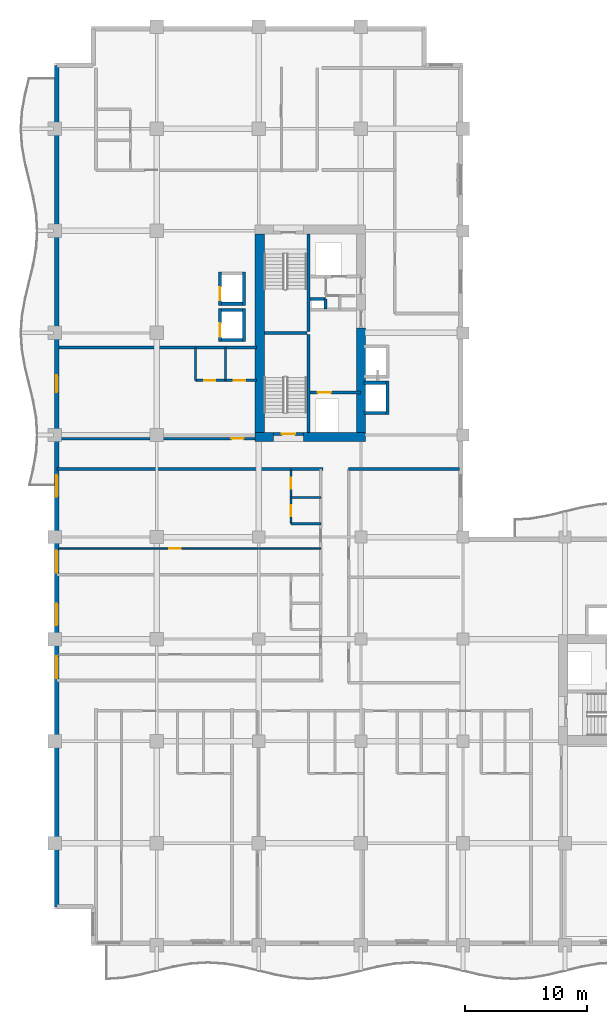
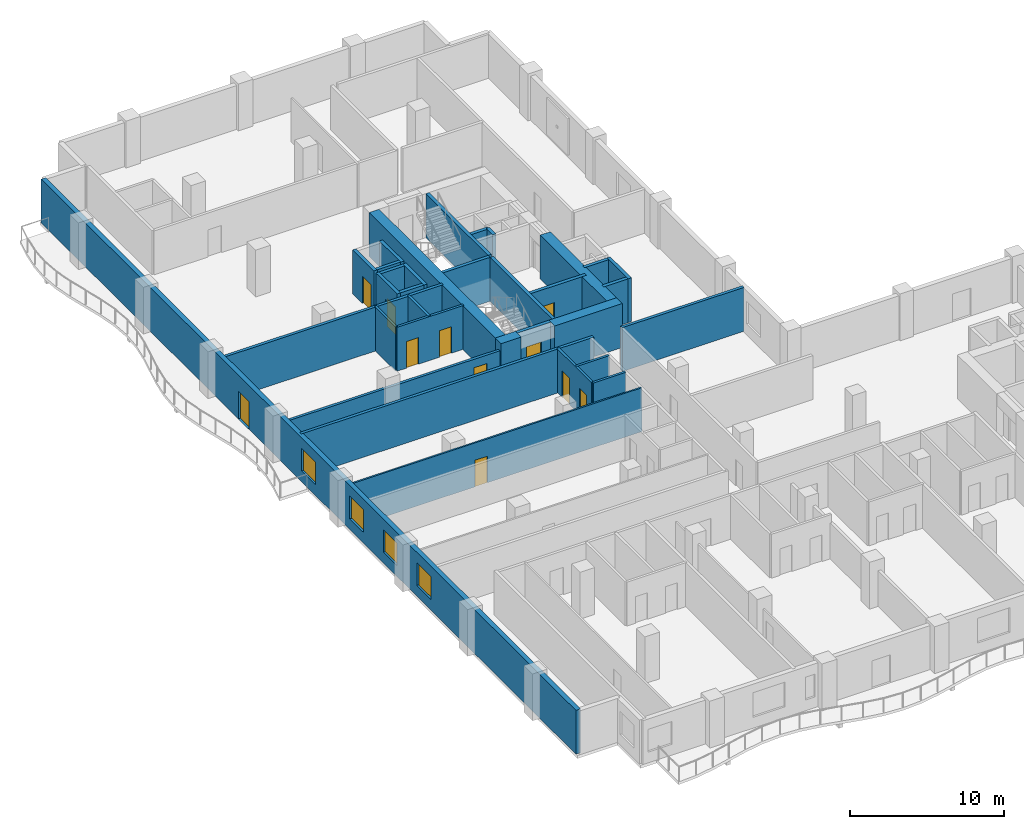
# One storey, part 13 of 22: 33 walls, 11 doors, 4 windows, 15 openings.
"""IFC4 building model written with IfcOpenShell, lengths in metres."""

from ifc_helpers import new_model, si_unit, direction, frame, frame_2d, origin, place, context, subcontext, project, spatial, rectangle, extrude, material, layer, layer_set, type_object, element, fill, save


model = new_model("IFC4")

# Units and contexts
model_context = context("Model", 3, precision=1e-05, world=origin(), true_north=direction((0.0, 1.0)))
body_context = subcontext(model_context, "Body", "Model", "MODEL_VIEW")
ifc_project = project(units=[si_unit("LENGTHUNIT", "METRE"), si_unit("AREAUNIT", "SQUARE_METRE"), si_unit("VOLUMEUNIT", "CUBIC_METRE"), si_unit("PLANEANGLEUNIT", "RADIAN"), si_unit("MASSUNIT", "GRAM", prefix="KILO")], contexts=[model_context])

# Site, building, storey
site_placement = place(None, origin())
site = spatial("IfcSite", under=ifc_project, at=site_placement, CompositionType="ELEMENT")
building_placement = place(site_placement, origin())
building = spatial("IfcBuilding", under=site, at=building_placement, Name="Koriwani Terraces Tower", CompositionType="ELEMENT")
storey_placement = place(building_placement, frame((0.0, 0.0, 182.800048828125)))
storey = spatial("IfcBuildingStorey", under=building, at=storey_placement, Name="L44", CompositionType="ELEMENT", Elevation=182.800048828125)

# Walls
ifc_material_1 = material(Name="Concrete C60/75", Category="concrete")
ifc_layer_1 = layer(ifc_material_1, 0.75, Name="Concrete C60/75")
ifc_layer_set_1 = layer_set([ifc_layer_1], Name="Concrete C60/75")
wall_type_1 = type_object("IfcWallType", Name="WALL_CORE_RC_750", PredefinedType="SHEAR", material=ifc_layer_set_1)
wall_1_placement = place(storey_placement, frame((16.5, 41.824951171875, 0.0), z_axis=(0.0, 0.0, 1.0), x_axis=(1.0, 0.0, 0.0)))
element("IfcWall", 1, at=wall_1_placement, inside=storey, type_object=wall_type_1, Name="L44 West Split Core Shear Wall S1", PredefinedType="SHEAR", context=body_context, shape_type="SweptSolid", body=[
    extrude(rectangle(XDim=1.5, YDim=0.75, at=frame_2d((0.75, 0.0))), origin(), (0.0, 0.0, 1.0), 3.469970703125),
])
wall_2_placement = place(storey_placement, frame((20.5, 41.824951171875, 0.0), z_axis=(0.0, 0.0, 1.0), x_axis=(1.0, 0.0, 0.0)))
element("IfcWall", 2, at=wall_2_placement, inside=storey, type_object=wall_type_1, Name="L44 West Split Core Shear Wall S2", PredefinedType="SHEAR", context=body_context, shape_type="SweptSolid", body=[
    extrude(rectangle(XDim=5.074951171875, YDim=0.75, at=frame_2d((2.53759765625, 0.0))), origin(), (0.0, 0.0, 1.0), 3.469970703125),
])
wall_3_placement = place(storey_placement, frame((16.875, 42.199951171875, 0.0), z_axis=(0.0, 0.0, 1.0), x_axis=(0.0, 1.0, 0.0)))
element("IfcWall", 3, at=wall_3_placement, inside=storey, type_object=wall_type_1, Name="L44 West Split Core Shear Wall W1", PredefinedType="SHEAR", context=body_context, shape_type="SweptSolid", body=[
    extrude(rectangle(XDim=16.35009765625, YDim=0.75, at=frame_2d((8.175048828125, 0.0))), origin(), (0.0, 0.0, 1.0), 3.469970703125),
])
wall_4_placement = place(storey_placement, frame((25.199951171875, 42.199951171875, 0.0), z_axis=(0.0, 0.0, 1.0), x_axis=(0.0, 1.0, 0.0)))
element("IfcWall", 4, at=wall_4_placement, inside=storey, type_object=wall_type_1, Name="L44 West Split Core Shear Wall E1", PredefinedType="SHEAR", context=body_context, shape_type="SweptSolid", body=[
    extrude(rectangle(XDim=8.60009765625, YDim=0.75, at=frame_2d((4.300048828125, 0.0))), origin(), (0.0, 0.0, 1.0), 3.469970703125),
])

# Wall, opening, door
ifc_material_2 = material(Name="Autoclaved Cellular Concrete Blockwork", Category="masonry")
ifc_layer_2 = layer(ifc_material_2, 0.199951171875, Name="Autoclaved Cellular Concrete Blockwork")
ifc_layer_set_2 = layer_set([ifc_layer_2], Name="Autoclaved Cellular Concrete Blockwork")
wall_type_2 = type_object("IfcWallType", Name="WALL_CORRIDOR_200", PredefinedType="PARTITIONING", material=ifc_layer_set_2)
wall_5_placement = place(storey_placement, frame((0.35009765625, 41.699951171875, 0.0), z_axis=(0.0, 0.0, 1.0), x_axis=(1.0, 0.0, 0.0)))
wall_5 = element("IfcWall", 5, at=wall_5_placement, inside=storey, type_object=wall_type_2, Name="L44 Interior Wall WREC-WS-L44", PredefinedType="PARTITIONING", context=body_context, shape_type="SweptSolid", body=[
    extrude(rectangle(XDim=16.25, YDim=0.199951171875, at=frame_2d((8.125, 0.0))), origin(), (0.0, 0.0, 1.0), 2.820068359375),
])
opening_1_placement = place(wall_5_placement, frame((14.199951171875, 0.0, 0.0)))
opening_1 = element("IfcOpeningElement", 6, at=opening_1_placement, cuts=wall_5, Name="Opening D-05", PredefinedType="OPENING", context=body_context, shape_type="SweptSolid", body=[
    extrude(rectangle(XDim=1.0, YDim=2.14990234375, at=frame_2d((0.5, 1.074951171875))), frame((0.0, 0.10986328125, 0.0), z_axis=(0.0, -1.0, 0.0), x_axis=(1.0, 0.0, 0.0)), (0.0, 0.0, 1.0), 0.219970703125),
])
ifc_material_3 = material(Name="Architectural Oak Fire Door", Category="wood")
door_type_1 = type_object("IfcDoorType", Name="DOOR_SUITE_ENTRY_1000X2150", OperationType="NOTDEFINED", PredefinedType="DOOR", material=ifc_material_3)
door_1_placement = place(opening_1_placement, origin())
door_1 = element("IfcDoor", 7, at=door_1_placement, inside=storey, type_object=door_type_1, Name="L44 Reclaimed West Suite Door", OperationType="SINGLE_SWING_RIGHT", OverallHeight=2.14990234375, OverallWidth=1.0, PredefinedType="DOOR", context=body_context, shape_type="SweptSolid", body=[
    extrude(rectangle(XDim=1.0, YDim=2.14990234375, at=frame_2d((0.5, 1.074951171875))), frame((0.0, 0.02490234375, 0.0), z_axis=(0.0, -1.0, 0.0), x_axis=(1.0, 0.0, 0.0)), (0.0, 0.0, 1.0), 0.050048828125),
])
fill(opening_1, door_1)

# Walls
ifc_layer_3 = layer(ifc_material_2, 0.219970703125, Name="Autoclaved Cellular Concrete Blockwork")
ifc_layer_set_3 = layer_set([ifc_layer_3], Name="Autoclaved Cellular Concrete Blockwork")
wall_type_3 = type_object("IfcWallType", Name="WALL_DEMISING_220", PredefinedType="PARTITIONING", material=ifc_layer_set_3)
wall_6_placement = place(storey_placement, frame((0.35009765625, 49.199951171875, 0.0), z_axis=(0.0, 0.0, 1.0), x_axis=(1.0, 0.0, 0.0)))
element("IfcWall", 8, at=wall_6_placement, inside=storey, type_object=wall_type_3, Name="L44 Interior Wall WREC-WN-L44", PredefinedType="PARTITIONING", context=body_context, shape_type="SweptSolid", body=[
    extrude(rectangle(XDim=16.25, YDim=0.219970703125, at=frame_2d((8.125, 0.0))), origin(), (0.0, 0.0, 1.0), 3.469970703125),
])
wall_7_placement = place(storey_placement, frame((24.199951171875, 39.199951171875, 0.0), z_axis=(0.0, 0.0, 1.0), x_axis=(1.0, 0.0, 0.0)))
element("IfcWall", 9, at=wall_7_placement, inside=storey, type_object=wall_type_3, Name="L44 Interior Wall WIC2-N-L44", PredefinedType="PARTITIONING", context=body_context, shape_type="SweptSolid", body=[
    extrude(rectangle(XDim=9.10009765625, YDim=0.219970703125, at=frame_2d((4.550048828125, 0.0))), origin(), (0.0, 0.0, 1.0), 3.469970703125),
])
wall_8_placement = place(storey_placement, frame((0.199951171875, 39.199951171875, 0.0), z_axis=(0.0, 0.0, 1.0), x_axis=(1.0, 0.0, 0.0)))
element("IfcWall", 10, at=wall_8_placement, inside=storey, type_object=wall_type_3, Name="L44 Interior Wall WRDEME-L44-NW", PredefinedType="PARTITIONING", context=body_context, shape_type="SweptSolid", body=[
    extrude(rectangle(XDim=21.880126953125, YDim=0.219970703125, at=frame_2d((10.93994140625, 0.0))), origin(), (0.0, 0.0, 1.0), 3.469970703125),
])

# Wall, openings, door, windows
ifc_material_4 = material(Name="Concrete C50/60", Category="concrete")
ifc_layer_4 = layer(ifc_material_4, 0.35009765625, Name="Concrete C50/60")
ifc_layer_set_4 = layer_set([ifc_layer_4], Name="Concrete C50/60")
wall_type_4 = type_object("IfcWallType", Name="WALL_EXT_BRUTALIST_350", PredefinedType="STANDARD", material=ifc_layer_set_4)
wall_9_placement = place(storey_placement, frame((0.175048828125, 3.175048828125, 0.0), z_axis=(0.0, 0.0, 1.0), x_axis=(0.0, 1.0, 0.0)))
wall_9 = element("IfcWall", 11, at=wall_9_placement, inside=storey, type_object=wall_type_4, Name="L44 Fair-Faced Brutalist Exterior Wall (W)", PredefinedType="STANDARD", context=body_context, shape_type="SweptSolid", body=[
    extrude(rectangle(XDim=69.25, YDim=0.35009765625, at=frame_2d((34.625, 0.0))), origin(), (0.0, 0.0, 1.0), 3.469970703125),
])
opening_2_placement = place(wall_9_placement, frame((42.324951171875, 0.0, 0.0)))
opening_2 = element("IfcOpeningElement", 12, at=opening_2_placement, cuts=wall_9, Name="Opening D-09", PredefinedType="OPENING", context=body_context, shape_type="SweptSolid", body=[
    extrude(rectangle(XDim=1.39990234375, YDim=2.199951171875, at=frame_2d((0.699951171875, 1.10009765625))), frame((0.0, 0.18505859375, 0.0), z_axis=(0.0, -1.0, 0.0), x_axis=(1.0, 0.0, 0.0)), (0.0, 0.0, 1.0), 0.3701171875),
])
opening_3_placement = place(wall_9_placement, frame((33.72509765625, 0.0, 0.85009765625)))
opening_3 = element("IfcOpeningElement", 13, at=opening_3_placement, cuts=wall_9, Name="Opening W-04", PredefinedType="OPENING", context=body_context, shape_type="SweptSolid", body=[
    extrude(rectangle(XDim=1.800048828125, YDim=1.800048828125, at=frame_2d((0.89990234375, 0.89990234375))), frame((0.0, 0.18505859375, 0.0), z_axis=(0.0, -1.0, 0.0), x_axis=(1.0, 0.0, 0.0)), (0.0, 0.0, 1.0), 0.3701171875),
])
opening_4_placement = place(wall_9_placement, frame((18.800048828125, 0.0, 0.85009765625)))
opening_4 = element("IfcOpeningElement", 14, at=opening_4_placement, cuts=wall_9, Name="Opening W-04", PredefinedType="OPENING", context=body_context, shape_type="SweptSolid", body=[
    extrude(rectangle(XDim=1.800048828125, YDim=1.800048828125, at=frame_2d((0.89990234375, 0.89990234375))), frame((0.0, 0.18505859375, 0.0), z_axis=(0.0, -1.0, 0.0), x_axis=(1.0, 0.0, 0.0)), (0.0, 0.0, 1.0), 0.3701171875),
])
opening_5_placement = place(wall_9_placement, frame((23.14990234375, 0.0, 0.85009765625)))
opening_5 = element("IfcOpeningElement", 15, at=opening_5_placement, cuts=wall_9, Name="Opening W-04", PredefinedType="OPENING", context=body_context, shape_type="SweptSolid", body=[
    extrude(rectangle(XDim=1.800048828125, YDim=1.800048828125, at=frame_2d((0.89990234375, 0.89990234375))), frame((0.0, 0.18505859375, 0.0), z_axis=(0.0, -1.0, 0.0), x_axis=(1.0, 0.0, 0.0)), (0.0, 0.0, 1.0), 0.3701171875),
])
opening_6_placement = place(wall_9_placement, frame((27.5, 0.0, 0.85009765625)))
opening_6 = element("IfcOpeningElement", 16, at=opening_6_placement, cuts=wall_9, Name="Opening W-04", PredefinedType="OPENING", context=body_context, shape_type="SweptSolid", body=[
    extrude(rectangle(XDim=1.800048828125, YDim=1.800048828125, at=frame_2d((0.89990234375, 0.89990234375))), frame((0.0, 0.18505859375, 0.0), z_axis=(0.0, -1.0, 0.0), x_axis=(1.0, 0.0, 0.0)), (0.0, 0.0, 1.0), 0.3701171875),
])
ifc_material_5 = material(Name="Anodised Bronze Aluminium", Category="aluminium")
door_type_2 = type_object("IfcDoorType", Name="DOOR_BALCONY_GLAZED_1400X2200", OperationType="NOTDEFINED", PredefinedType="DOOR", material=ifc_material_5)
door_2_placement = place(opening_2_placement, origin())
door_2 = element("IfcDoor", 17, at=door_2_placement, inside=storey, type_object=door_type_2, Name="L44 West Balcony Glazed Door", OperationType="SINGLE_SWING_LEFT", OverallHeight=2.199951171875, OverallWidth=1.39990234375, PredefinedType="DOOR", context=body_context, shape_type="SweptSolid", body=[
    extrude(rectangle(XDim=1.39990234375, YDim=2.199951171875, at=frame_2d((0.699951171875, 1.10009765625))), frame((0.0, 0.02490234375, 0.0), z_axis=(0.0, -1.0, 0.0), x_axis=(1.0, 0.0, 0.0)), (0.0, 0.0, 1.0), 0.050048828125),
])
fill(opening_2, door_2)
ifc_material_6 = material(Name="Tempered Laminated Low-E Glass", Category="glass")
window_type = type_object("IfcWindowType", Name="WIN_RES_BED_1800X1800", PartitioningType="DOUBLE_PANEL_VERTICAL", PredefinedType="WINDOW", material=ifc_material_6)
window_1_placement = place(opening_3_placement, origin())
window_1 = element("IfcWindow", 18, at=window_1_placement, inside=storey, type_object=window_type, Name="L44 Exterior Window (W-12)", OverallHeight=1.800048828125, OverallWidth=1.800048828125, PartitioningType="SINGLE_PANEL", PredefinedType="WINDOW", context=body_context, shape_type="SweptSolid", body=[
    extrude(rectangle(XDim=1.800048828125, YDim=1.800048828125, at=frame_2d((0.89990234375, 0.89990234375))), frame((0.0, 0.030029296875, 0.0), z_axis=(0.0, -1.0, 0.0), x_axis=(1.0, 0.0, 0.0)), (0.0, 0.0, 1.0), 0.06005859375),
])
fill(opening_3, window_1)
window_2_placement = place(opening_4_placement, origin())
window_2 = element("IfcWindow", 19, at=window_2_placement, inside=storey, type_object=window_type, Name="L44 Exterior Window (W-R48)", OverallHeight=1.800048828125, OverallWidth=1.800048828125, PartitioningType="SINGLE_PANEL", PredefinedType="WINDOW", context=body_context, shape_type="SweptSolid", body=[
    extrude(rectangle(XDim=1.800048828125, YDim=1.800048828125, at=frame_2d((0.89990234375, 0.89990234375))), frame((0.0, 0.030029296875, 0.0), z_axis=(0.0, -1.0, 0.0), x_axis=(1.0, 0.0, 0.0)), (0.0, 0.0, 1.0), 0.06005859375),
])
fill(opening_4, window_2)
window_3_placement = place(opening_5_placement, origin())
window_3 = element("IfcWindow", 20, at=window_3_placement, inside=storey, type_object=window_type, Name="L44 Exterior Window (W-R49)", OverallHeight=1.800048828125, OverallWidth=1.800048828125, PartitioningType="SINGLE_PANEL", PredefinedType="WINDOW", context=body_context, shape_type="SweptSolid", body=[
    extrude(rectangle(XDim=1.800048828125, YDim=1.800048828125, at=frame_2d((0.89990234375, 0.89990234375))), frame((0.0, 0.030029296875, 0.0), z_axis=(0.0, -1.0, 0.0), x_axis=(1.0, 0.0, 0.0)), (0.0, 0.0, 1.0), 0.06005859375),
])
fill(opening_5, window_3)
window_4_placement = place(opening_6_placement, origin())
window_4 = element("IfcWindow", 21, at=window_4_placement, inside=storey, type_object=window_type, Name="L44 Exterior Window (W-R52)", OverallHeight=1.800048828125, OverallWidth=1.800048828125, PartitioningType="SINGLE_PANEL", PredefinedType="WINDOW", context=body_context, shape_type="SweptSolid", body=[
    extrude(rectangle(XDim=1.800048828125, YDim=1.800048828125, at=frame_2d((0.89990234375, 0.89990234375))), frame((0.0, 0.030029296875, 0.0), z_axis=(0.0, -1.0, 0.0), x_axis=(1.0, 0.0, 0.0)), (0.0, 0.0, 1.0), 0.06005859375),
])
fill(opening_6, window_4)

# Wall, opening, door
ifc_material_7 = material(Name="Fire-Rated Acoustic Gypsum Partition", Category="masonry")
ifc_layer_5 = layer(ifc_material_7, 0.125, Name="Fire-Rated Acoustic Gypsum Partition")
ifc_layer_set_5 = layer_set([ifc_layer_5], Name="Fire-Rated Acoustic Gypsum Partition")
wall_type_5 = type_object("IfcWallType", Name="WALL_INT_125", PredefinedType="PARTITIONING", material=ifc_layer_set_5)
wall_10_placement = place(storey_placement, frame((0.35009765625, 32.64990234375, 0.0), z_axis=(0.0, 0.0, 1.0), x_axis=(1.0, 0.0, 0.0)))
wall_10 = element("IfcWall", 22, at=wall_10_placement, inside=storey, type_object=wall_type_5, Name="L44 Interior Wall WRBED1-L44-NW-1", PredefinedType="PARTITIONING", context=body_context, shape_type="SweptSolid", body=[
    extrude(rectangle(XDim=21.5498046875, YDim=0.125, at=frame_2d((10.77490234375, 0.0))), origin(), (0.0, 0.0, 1.0), 3.469970703125),
])
opening_7_placement = place(wall_10_placement, frame((9.090087890625, 0.0, 0.0)))
opening_7 = element("IfcOpeningElement", 23, at=opening_7_placement, cuts=wall_10, Name="Opening D-06", PredefinedType="OPENING", context=body_context, shape_type="SweptSolid", body=[
    extrude(rectangle(XDim=0.919921875, YDim=2.10009765625, at=frame_2d((0.4599609375, 1.050048828125))), frame((0.0, 0.072509765625, 0.0), z_axis=(0.0, -1.0, 0.0), x_axis=(1.0, 0.0, 0.0)), (0.0, 0.0, 1.0), 0.14501953125),
])
door_type_3 = type_object("IfcDoorType", Name="DOOR_ROOM_INT_920X2100", OperationType="NOTDEFINED", PredefinedType="DOOR", material=ifc_material_3)
door_3_placement = place(opening_7_placement, origin())
door_3 = element("IfcDoor", 24, at=door_3_placement, inside=storey, type_object=door_type_3, Name="Apartment 44NW2 Master Bedroom Door", OperationType="SINGLE_SWING_LEFT", OverallHeight=2.10009765625, OverallWidth=0.919921875, PredefinedType="DOOR", context=body_context, shape_type="SweptSolid", body=[
    extrude(rectangle(XDim=0.919921875, YDim=2.10009765625, at=frame_2d((0.4599609375, 1.050048828125))), frame((0.0, 0.02490234375, 0.0), z_axis=(0.0, -1.0, 0.0), x_axis=(1.0, 0.0, 0.0)), (0.0, 0.0, 1.0), 0.050048828125),
])
fill(opening_7, door_3)

# Wall, openings, doors
ifc_layer_6 = layer(ifc_material_7, 0.179931640625, Name="Fire-Rated Acoustic Gypsum Partition")
ifc_layer_set_6 = layer_set([ifc_layer_6], Name="Fire-Rated Acoustic Gypsum Partition")
wall_type_6 = type_object("IfcWallType", Name="WALL_PLUMBING_180", PredefinedType="PLUMBINGWALL", material=ifc_layer_set_6)
wall_11_placement = place(storey_placement, frame((11.60009765625, 46.5, 0.0), z_axis=(0.0, 0.0, 1.0), x_axis=(1.0, 0.0, 0.0)))
wall_11 = element("IfcWall", 25, at=wall_11_placement, inside=storey, type_object=wall_type_6, Name="L44 Interior Wall WREC-WBB-L44", PredefinedType="PLUMBINGWALL", context=body_context, shape_type="SweptSolid", body=[
    extrude(rectangle(XDim=5.0, YDim=0.179931640625, at=frame_2d((2.5, 0.0))), origin(), (0.0, 0.0, 1.0), 3.469970703125),
])
opening_8_placement = place(wall_11_placement, frame((0.699951171875, 0.0, 0.0)))
opening_8 = element("IfcOpeningElement", 26, at=opening_8_placement, cuts=wall_11, Name="Opening D-07", PredefinedType="OPENING", context=body_context, shape_type="SweptSolid", body=[
    extrude(rectangle(XDim=0.89990234375, YDim=2.10009765625, at=frame_2d((0.449951171875, 1.050048828125))), frame((0.0, 0.10009765625, 0.0), z_axis=(0.0, -1.0, 0.0), x_axis=(1.0, 0.0, 0.0)), (0.0, 0.0, 1.0), 0.199951171875),
])
opening_9_placement = place(wall_11_placement, frame((3.14990234375, 0.0, 0.0)))
opening_9 = element("IfcOpeningElement", 27, at=opening_9_placement, cuts=wall_11, Name="Opening D-06", PredefinedType="OPENING", context=body_context, shape_type="SweptSolid", body=[
    extrude(rectangle(XDim=0.919921875, YDim=2.10009765625, at=frame_2d((0.4599609375, 1.050048828125))), frame((0.0, 0.10009765625, 0.0), z_axis=(0.0, -1.0, 0.0), x_axis=(1.0, 0.0, 0.0)), (0.0, 0.0, 1.0), 0.199951171875),
])
door_type_4 = type_object("IfcDoorType", Name="DOOR_BATH_INT_900X2100", OperationType="NOTDEFINED", PredefinedType="DOOR", material=ifc_material_3)
door_4_placement = place(opening_8_placement, origin())
door_4 = element("IfcDoor", 28, at=door_4_placement, inside=storey, type_object=door_type_4, Name="Apartment 44RW Bathroom Door", OperationType="SINGLE_SWING_LEFT", OverallHeight=2.10009765625, OverallWidth=0.89990234375, PredefinedType="DOOR", context=body_context, shape_type="SweptSolid", body=[
    extrude(rectangle(XDim=0.89990234375, YDim=2.10009765625, at=frame_2d((0.449951171875, 1.050048828125))), frame((0.0, 0.02490234375, 0.0), z_axis=(0.0, -1.0, 0.0), x_axis=(1.0, 0.0, 0.0)), (0.0, 0.0, 1.0), 0.050048828125),
])
fill(opening_8, door_4)
door_5_placement = place(opening_9_placement, origin())
door_5 = element("IfcDoor", 29, at=door_5_placement, inside=storey, type_object=door_type_3, Name="Apartment 44RW Kitchen Door", OperationType="SINGLE_SWING_RIGHT", OverallHeight=2.10009765625, OverallWidth=0.919921875, PredefinedType="DOOR", context=body_context, shape_type="SweptSolid", body=[
    extrude(rectangle(XDim=0.919921875, YDim=2.10009765625, at=frame_2d((0.4599609375, 1.050048828125))), frame((0.0, 0.02490234375, 0.0), z_axis=(0.0, -1.0, 0.0), x_axis=(1.0, 0.0, 0.0)), (0.0, 0.0, 1.0), 0.050048828125),
])
fill(opening_9, door_5)

# Walls
for number, where, z_axis, x_axis, name in (
    (30, (11.60009765625, 46.5, 0.0), (0.0, 0.0, 1.0), (0.0, 1.0, 0.0), "L44 Interior Wall WREC-WB2-L44"),
    (31, (14.050048828125, 46.5, 0.0), (0.0, 0.0, 1.0), (0.0, 1.0, 0.0), "L44 Interior Wall WREC-WB3-L44"),
):
    element("IfcWall", number, at=place(storey_placement, frame(where, z_axis=z_axis, x_axis=x_axis)), inside=storey, type_object=wall_type_6, Name=name, PredefinedType="PLUMBINGWALL", context=body_context, shape_type="SweptSolid", body=[
        extrude(rectangle(XDim=2.699951171875, YDim=0.179931640625, at=frame_2d((1.35009765625, 0.0))), origin(), (0.0, 0.0, 1.0), 3.469970703125),
    ])

# Wall, openings, doors
wall_12_placement = place(storey_placement, frame((19.449951171875, 34.699951171875, 0.0), z_axis=(0.0, 0.0, 1.0), x_axis=(0.0, 1.0, 0.0)))
wall_12 = element("IfcWall", 32, at=wall_12_placement, inside=storey, type_object=wall_type_6, Name="L44 Interior Wall WRSVC-L44-NW-1", PredefinedType="PLUMBINGWALL", context=body_context, shape_type="SweptSolid", body=[
    extrude(rectangle(XDim=4.5, YDim=0.179931640625, at=frame_2d((2.25, 0.0))), origin(), (0.0, 0.0, 1.0), 3.469970703125),
])
opening_10_placement = place(wall_12_placement, frame((0.6298828125, 0.0, 0.0)))
opening_10 = element("IfcOpeningElement", 33, at=opening_10_placement, cuts=wall_12, Name="Opening D-07", PredefinedType="OPENING", context=body_context, shape_type="SweptSolid", body=[
    extrude(rectangle(XDim=0.89990234375, YDim=2.10009765625, at=frame_2d((0.449951171875, 1.050048828125))), frame((0.0, 0.10009765625, 0.0), z_axis=(0.0, -1.0, 0.0), x_axis=(1.0, 0.0, 0.0)), (0.0, 0.0, 1.0), 0.199951171875),
])
opening_11_placement = place(wall_12_placement, frame((2.8701171875, 0.0, 0.0)))
opening_11 = element("IfcOpeningElement", 34, at=opening_11_placement, cuts=wall_12, Name="Opening D-06", PredefinedType="OPENING", context=body_context, shape_type="SweptSolid", body=[
    extrude(rectangle(XDim=0.919921875, YDim=2.10009765625, at=frame_2d((0.4599609375, 1.050048828125))), frame((0.0, 0.10009765625, 0.0), z_axis=(0.0, -1.0, 0.0), x_axis=(1.0, 0.0, 0.0)), (0.0, 0.0, 1.0), 0.199951171875),
])
door_6_placement = place(opening_10_placement, origin())
door_6 = element("IfcDoor", 35, at=door_6_placement, inside=storey, type_object=door_type_4, Name="Apartment 44NW2 Bathroom Door", OperationType="SINGLE_SWING_LEFT", OverallHeight=2.10009765625, OverallWidth=0.89990234375, PredefinedType="DOOR", context=body_context, shape_type="SweptSolid", body=[
    extrude(rectangle(XDim=0.89990234375, YDim=2.10009765625, at=frame_2d((0.449951171875, 1.050048828125))), frame((0.0, 0.02490234375, 0.0), z_axis=(0.0, -1.0, 0.0), x_axis=(1.0, 0.0, 0.0)), (0.0, 0.0, 1.0), 0.050048828125),
])
fill(opening_10, door_6)
door_7_placement = place(opening_11_placement, origin())
door_7 = element("IfcDoor", 36, at=door_7_placement, inside=storey, type_object=door_type_3, Name="Apartment 44NW2 Kitchen Door", OperationType="SINGLE_SWING_RIGHT", OverallHeight=2.10009765625, OverallWidth=0.919921875, PredefinedType="DOOR", context=body_context, shape_type="SweptSolid", body=[
    extrude(rectangle(XDim=0.919921875, YDim=2.10009765625, at=frame_2d((0.4599609375, 1.050048828125))), frame((0.0, 0.02490234375, 0.0), z_axis=(0.0, -1.0, 0.0), x_axis=(1.0, 0.0, 0.0)), (0.0, 0.0, 1.0), 0.050048828125),
])
fill(opening_11, door_7)

# Walls
for number, where, z_axis, x_axis, name in (
    (37, (19.449951171875, 34.699951171875, 0.0), (0.0, 0.0, 1.0), (1.0, 0.0, 0.0), "L44 Interior Wall WRSVCS-L44-NW-1"),
    (38, (19.449951171875, 36.860107421875, 0.0), (0.0, 0.0, 1.0), (1.0, 0.0, 0.0), "L44 Interior Wall WRSVCM-L44-NW-1"),
):
    element("IfcWall", number, at=place(storey_placement, frame(where, z_axis=z_axis, x_axis=x_axis)), inside=storey, type_object=wall_type_6, Name=name, PredefinedType="PLUMBINGWALL", context=body_context, shape_type="SweptSolid", body=[
        extrude(rectangle(XDim=2.449951171875, YDim=0.179931640625, at=frame_2d((1.22509765625, 0.0))), origin(), (0.0, 0.0, 1.0), 3.469970703125),
    ])
ifc_material_8 = material(Name="Concrete C40/50", Category="concrete")
ifc_layer_7 = layer(ifc_material_8, 0.25, Name="Concrete C40/50")
ifc_layer_set_7 = layer_set([ifc_layer_7], Name="Concrete C40/50")
wall_type_7 = type_object("IfcWallType", Name="WALL_SHAFT_RATED_250", PredefinedType="SOLIDWALL", material=ifc_layer_set_7)
for number, where, z_axis, x_axis, name in (
    (39, (20.875, 42.199951171875, 0.0), (0.0, 0.0, 1.0), (0.0, 1.0, 0.0), "L44 West Split Core Web Wall MID1"),
    (40, (20.875, 50.5, 0.0), (0.0, 0.0, 1.0), (0.0, 1.0, 0.0), "L44 West Split Core Web Wall MID2"),
):
    element("IfcWall", number, at=place(storey_placement, frame(where, z_axis=z_axis, x_axis=x_axis)), inside=storey, type_object=wall_type_7, Name=name, PredefinedType="SOLIDWALL", context=body_context, shape_type="SweptSolid", body=[
        extrude(rectangle(XDim=8.050048828125, YDim=0.25, at=frame_2d((4.02490234375, 0.0))), origin(), (0.0, 0.0, 1.0), 3.469970703125),
    ])
wall_13_placement = place(storey_placement, frame((17.25, 50.375, 0.0), z_axis=(0.0, 0.0, 1.0), x_axis=(1.0, 0.0, 0.0)))
element("IfcWall", 41, at=wall_13_placement, inside=storey, type_object=wall_type_7, Name="L44 West Split Core Stair Dividing Wall", PredefinedType="SOLIDWALL", context=body_context, shape_type="SweptSolid", body=[
    extrude(rectangle(XDim=3.5, YDim=0.25, at=frame_2d((1.75, 0.0))), origin(), (0.0, 0.0, 1.0), 3.469970703125),
])

# Wall, opening, door
wall_14_placement = place(storey_placement, frame((18.0, 42.074951171875, 0.0), z_axis=(0.0, 0.0, 1.0), x_axis=(1.0, 0.0, 0.0)))
wall_14 = element("IfcWall", 42, at=wall_14_placement, inside=storey, type_object=wall_type_7, Name="L44 Interior Wall WIN-CW-L44-STS", PredefinedType="SOLIDWALL", context=body_context, shape_type="SweptSolid", body=[
    extrude(rectangle(XDim=2.5, YDim=0.25, at=frame_2d((1.25, 0.0))), origin(), (0.0, 0.0, 1.0), 3.469970703125),
])
opening_12_placement = place(wall_14_placement, frame((0.699951171875, 0.0, 0.0)))
opening_12 = element("IfcOpeningElement", 43, at=opening_12_placement, cuts=wall_14, Name="Opening D-03", PredefinedType="OPENING", context=body_context, shape_type="SweptSolid", body=[
    extrude(rectangle(XDim=1.10009765625, YDim=2.14990234375, at=frame_2d((0.550048828125, 1.074951171875))), frame((0.0, 0.135009765625, 0.0), z_axis=(0.0, -1.0, 0.0), x_axis=(1.0, 0.0, 0.0)), (0.0, 0.0, 1.0), 0.27001953125),
])
ifc_material_9 = material(Name="Steel ASTM A572 Grade 50", Category="steel")
door_type_5 = type_object("IfcDoorType", Name="DOOR_STAIR_FIRE_1100X2150", OperationType="NOTDEFINED", PredefinedType="DOOR", material=ifc_material_9)
door_8_placement = place(opening_12_placement, origin())
door_8 = element("IfcDoor", 44, at=door_8_placement, inside=storey, type_object=door_type_5, Name="L44 Exit Stair ST-W1 Door", OperationType="SINGLE_SWING_RIGHT", OverallHeight=2.14990234375, OverallWidth=1.10009765625, PredefinedType="DOOR", context=body_context, shape_type="SweptSolid", body=[
    extrude(rectangle(XDim=1.10009765625, YDim=2.14990234375, at=frame_2d((0.550048828125, 1.074951171875))), frame((0.0, 0.02490234375, 0.0), z_axis=(0.0, -1.0, 0.0), x_axis=(1.0, 0.0, 0.0)), (0.0, 0.0, 1.0), 0.050048828125),
])
fill(opening_12, door_8)

wall_15_placement = place(storey_placement, frame((21.0, 45.5, 0.0), z_axis=(0.0, 0.0, 1.0), x_axis=(1.0, 0.0, 0.0)))
wall_15 = element("IfcWall", 45, at=wall_15_placement, inside=storey, type_object=wall_type_7, Name="L44 Interior Wall WIN-CW-L44-FE", PredefinedType="SOLIDWALL", context=body_context, shape_type="SweptSolid", body=[
    extrude(rectangle(XDim=4.14990234375, YDim=0.25, at=frame_2d((2.074951171875, 0.0))), origin(), (0.0, 0.0, 1.0), 3.469970703125),
])
opening_13_placement = place(wall_15_placement, frame((0.64990234375, 0.0, 0.0)))
opening_13 = element("IfcOpeningElement", 46, at=opening_13_placement, cuts=wall_15, Name="Opening LD-01", PredefinedType="OPENING", context=body_context, shape_type="SweptSolid", body=[
    extrude(rectangle(XDim=1.10009765625, YDim=2.14990234375, at=frame_2d((0.550048828125, 1.074951171875))), frame((0.0, 0.135009765625, 0.0), z_axis=(0.0, -1.0, 0.0), x_axis=(1.0, 0.0, 0.0)), (0.0, 0.0, 1.0), 0.27001953125),
])
door_type_6 = type_object("IfcDoorType", Name="DOOR_LIFT_LANDING_1100X2200", OperationType="NOTDEFINED", PredefinedType="DOOR", material=ifc_material_9)
door_9_placement = place(opening_13_placement, origin())
door_9 = element("IfcDoor", 47, at=door_9_placement, inside=storey, type_object=door_type_6, Name="L44 Firefighting Lift FE-01 Landing Door", OperationType="SLIDING_TO_LEFT", OverallHeight=2.14990234375, OverallWidth=1.10009765625, PredefinedType="DOOR", context=body_context, shape_type="SweptSolid", body=[
    extrude(rectangle(XDim=1.10009765625, YDim=2.14990234375, at=frame_2d((0.550048828125, 1.074951171875))), frame((0.0, 0.02490234375, 0.0), z_axis=(0.0, -1.0, 0.0), x_axis=(1.0, 0.0, 0.0)), (0.0, 0.0, 1.0), 0.050048828125),
])
fill(opening_13, door_9)

# Walls
wall_16_placement = place(storey_placement, frame((21.0, 53.199951171875, 0.0), z_axis=(0.0, 0.0, 1.0), x_axis=(1.0, 0.0, 0.0)))
element("IfcWall", 48, at=wall_16_placement, inside=storey, type_object=wall_type_7, Name="L44 Interior Wall WIN-CW-L44-RS1", PredefinedType="SOLIDWALL", context=body_context, shape_type="SweptSolid", body=[
    extrude(rectangle(XDim=1.300048828125, YDim=0.25, at=frame_2d((0.64990234375, 0.0))), origin(), (0.0, 0.0, 1.0), 3.469970703125),
])
wall_17_placement = place(storey_placement, frame((22.300048828125, 52.360107421875, 0.0), z_axis=(0.0, 0.0, 1.0), x_axis=(0.0, 1.0, 0.0)))
element("IfcWall", 49, at=wall_17_placement, inside=storey, type_object=wall_type_7, Name="L44 Interior Wall WIN-CW-L44-RS2", PredefinedType="SOLIDWALL", context=body_context, shape_type="SweptSolid", body=[
    extrude(rectangle(XDim=0.83984375, YDim=0.25, at=frame_2d((0.419921875, 0.0))), origin(), (0.0, 0.0, 1.0), 3.469970703125),
])

# Wall, opening, door
wall_18_placement = place(storey_placement, frame((13.60009765625, 49.675048828125, 0.0), z_axis=(0.0, 0.0, 1.0), x_axis=(0.0, 1.0, 0.0)))
wall_18 = element("IfcWall", 50, at=wall_18_placement, inside=storey, type_object=wall_type_7, Name="L44 Interior Wall WIN-LF-PE-M1-L44-F", PredefinedType="SOLIDWALL", context=body_context, shape_type="SweptSolid", body=[
    extrude(rectangle(XDim=2.75, YDim=0.25, at=frame_2d((1.375, 0.0))), origin(), (0.0, 0.0, 1.0), 3.469970703125),
])
opening_14_placement = place(wall_18_placement, frame((0.39990234375, 0.0, 0.0)))
opening_14 = element("IfcOpeningElement", 51, at=opening_14_placement, cuts=wall_18, Name="Opening LD-01", PredefinedType="OPENING", context=body_context, shape_type="SweptSolid", body=[
    extrude(rectangle(XDim=1.10009765625, YDim=2.14990234375, at=frame_2d((0.550048828125, 1.074951171875))), frame((0.0, 0.135009765625, 0.0), z_axis=(0.0, -1.0, 0.0), x_axis=(1.0, 0.0, 0.0)), (0.0, 0.0, 1.0), 0.27001953125),
])
door_10_placement = place(opening_14_placement, origin())
door_10 = element("IfcDoor", 52, at=door_10_placement, inside=storey, type_object=door_type_6, Name="L44 Passenger Lift PE-M1 Landing Door", OperationType="SLIDING_TO_LEFT", OverallHeight=2.14990234375, OverallWidth=1.10009765625, PredefinedType="DOOR", context=body_context, shape_type="SweptSolid", body=[
    extrude(rectangle(XDim=1.10009765625, YDim=2.14990234375, at=frame_2d((0.550048828125, 1.074951171875))), frame((0.0, 0.02490234375, 0.0), z_axis=(0.0, -1.0, 0.0), x_axis=(1.0, 0.0, 0.0)), (0.0, 0.0, 1.0), 0.050048828125),
])
fill(opening_14, door_10)

# Walls
wall_19_placement = place(storey_placement, frame((15.60009765625, 49.675048828125, 0.0), z_axis=(0.0, 0.0, 1.0), x_axis=(0.0, 1.0, 0.0)))
element("IfcWall", 53, at=wall_19_placement, inside=storey, type_object=wall_type_7, Name="L44 Interior Wall WIN-LF-PE-M1-L44-B", PredefinedType="SOLIDWALL", context=body_context, shape_type="SweptSolid", body=[
    extrude(rectangle(XDim=2.75, YDim=0.25, at=frame_2d((1.375, 0.0))), origin(), (0.0, 0.0, 1.0), 3.469970703125),
])
for number, where, z_axis, x_axis, name in (
    (54, (13.72509765625, 49.800048828125, 0.0), (0.0, 0.0, 1.0), (1.0, 0.0, 0.0), "L44 Interior Wall WIN-LF-PE-M1-L44-S"),
    (55, (13.72509765625, 52.300048828125, 0.0), (0.0, 0.0, 1.0), (1.0, 0.0, 0.0), "L44 Interior Wall WIN-LF-PE-M1-L44-N"),
):
    element("IfcWall", number, at=place(storey_placement, frame(where, z_axis=z_axis, x_axis=x_axis)), inside=storey, type_object=wall_type_7, Name=name, PredefinedType="SOLIDWALL", context=body_context, shape_type="SweptSolid", body=[
        extrude(rectangle(XDim=1.75, YDim=0.25, at=frame_2d((0.875, 0.0))), origin(), (0.0, 0.0, 1.0), 3.469970703125),
    ])

# Wall, opening, door
wall_20_placement = place(storey_placement, frame((13.60009765625, 52.675048828125, 0.0), z_axis=(0.0, 0.0, 1.0), x_axis=(0.0, 1.0, 0.0)))
wall_20 = element("IfcWall", 56, at=wall_20_placement, inside=storey, type_object=wall_type_7, Name="L44 Interior Wall WIN-LF-PE-M2-L44-F", PredefinedType="SOLIDWALL", context=body_context, shape_type="SweptSolid", body=[
    extrude(rectangle(XDim=2.75, YDim=0.25, at=frame_2d((1.375, 0.0))), origin(), (0.0, 0.0, 1.0), 3.469970703125),
])
opening_15_placement = place(wall_20_placement, frame((0.39990234375, 0.0, 0.0)))
opening_15 = element("IfcOpeningElement", 57, at=opening_15_placement, cuts=wall_20, Name="Opening LD-01", PredefinedType="OPENING", context=body_context, shape_type="SweptSolid", body=[
    extrude(rectangle(XDim=1.10009765625, YDim=2.14990234375, at=frame_2d((0.550048828125, 1.074951171875))), frame((0.0, 0.135009765625, 0.0), z_axis=(0.0, -1.0, 0.0), x_axis=(1.0, 0.0, 0.0)), (0.0, 0.0, 1.0), 0.27001953125),
])
door_11_placement = place(opening_15_placement, origin())
door_11 = element("IfcDoor", 58, at=door_11_placement, inside=storey, type_object=door_type_6, Name="L44 Passenger Lift PE-M2 Landing Door", OperationType="SLIDING_TO_LEFT", OverallHeight=2.14990234375, OverallWidth=1.10009765625, PredefinedType="DOOR", context=body_context, shape_type="SweptSolid", body=[
    extrude(rectangle(XDim=1.10009765625, YDim=2.14990234375, at=frame_2d((0.550048828125, 1.074951171875))), frame((0.0, 0.02490234375, 0.0), z_axis=(0.0, -1.0, 0.0), x_axis=(1.0, 0.0, 0.0)), (0.0, 0.0, 1.0), 0.050048828125),
])
fill(opening_15, door_11)

# Walls
wall_21_placement = place(storey_placement, frame((15.60009765625, 52.675048828125, 0.0), z_axis=(0.0, 0.0, 1.0), x_axis=(0.0, 1.0, 0.0)))
element("IfcWall", 59, at=wall_21_placement, inside=storey, type_object=wall_type_7, Name="L44 Interior Wall WIN-LF-PE-M2-L44-B", PredefinedType="SOLIDWALL", context=body_context, shape_type="SweptSolid", body=[
    extrude(rectangle(XDim=2.75, YDim=0.25, at=frame_2d((1.375, 0.0))), origin(), (0.0, 0.0, 1.0), 3.469970703125),
])
wall_22_placement = place(storey_placement, frame((13.72509765625, 52.800048828125, 0.0), z_axis=(0.0, 0.0, 1.0), x_axis=(1.0, 0.0, 0.0)))
element("IfcWall", 60, at=wall_22_placement, inside=storey, type_object=wall_type_7, Name="L44 Interior Wall WIN-LF-PE-M2-L44-S", PredefinedType="SOLIDWALL", context=body_context, shape_type="SweptSolid", body=[
    extrude(rectangle(XDim=1.75, YDim=0.25, at=frame_2d((0.875, 0.0))), origin(), (0.0, 0.0, 1.0), 3.469970703125),
])
wall_23_placement = place(storey_placement, frame((27.39990234375, 43.675048828125, 0.0), z_axis=(0.0, 0.0, 1.0), x_axis=(0.0, 1.0, 0.0)))
element("IfcWall", 61, at=wall_23_placement, inside=storey, type_object=wall_type_7, Name="L44 Interior Wall WIN-LF-PE-H1-L44-F", PredefinedType="SOLIDWALL", context=body_context, shape_type="SweptSolid", body=[
    extrude(rectangle(XDim=2.75, YDim=0.25, at=frame_2d((1.375, 0.0))), origin(), (0.0, 0.0, 1.0), 3.469970703125),
])
for number, where, z_axis, x_axis, name in (
    (62, (25.449951171875, 43.800048828125, 0.0), (0.0, 0.0, 1.0), (1.0, 0.0, 0.0), "L44 Interior Wall WIN-LF-PE-H1-L44-S"),
    (63, (25.449951171875, 46.300048828125, 0.0), (0.0, 0.0, 1.0), (1.0, 0.0, 0.0), "L44 Interior Wall WIN-LF-PE-H1-L44-N"),
):
    element("IfcWall", number, at=place(storey_placement, frame(where, z_axis=z_axis, x_axis=x_axis)), inside=storey, type_object=wall_type_7, Name=name, PredefinedType="SOLIDWALL", context=body_context, shape_type="SweptSolid", body=[
        extrude(rectangle(XDim=1.824951171875, YDim=0.25, at=frame_2d((0.91259765625, 0.0))), origin(), (0.0, 0.0, 1.0), 3.469970703125),
    ])

save(model, "model.ifc")
